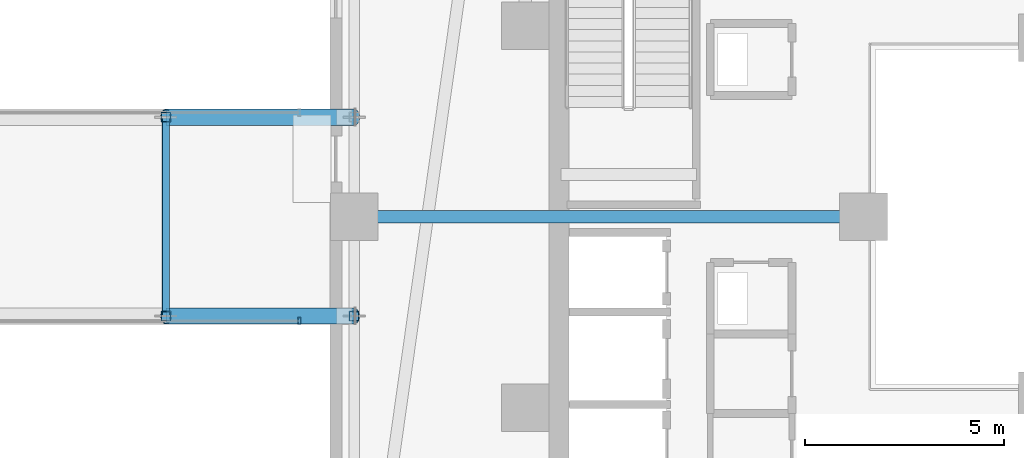
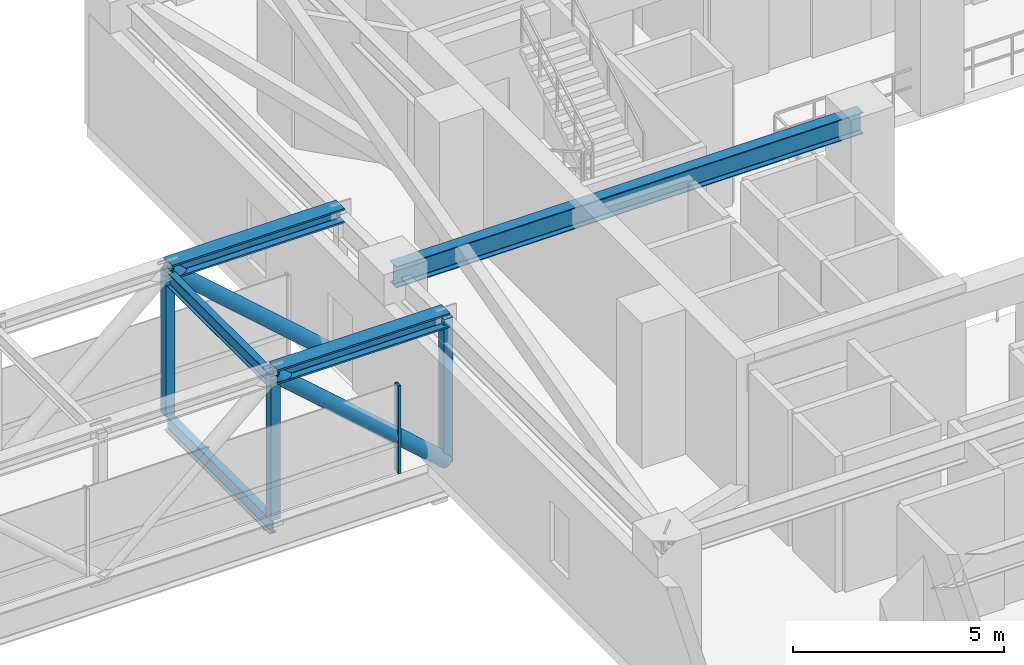
# One storey, part 19 of 45: 8 members, 3 beams, 1 element without a shape of its own.
"""IFC4 building model written with IfcOpenShell, lengths in metres."""

from ifc_helpers import new_model, si_unit, direction, frame, origin, origin_2d, place, context, subcontext, project, spatial, hollow_rectangle, hollow_circle, i_section, extrude, material, material_profile, profile_set, type_object, element, aggregate, save


model = new_model("IFC4")

# Units and contexts
model_context = context("Model", 3, precision=1e-05, world=origin(), true_north=direction((0.0, 1.0)))
body_context = subcontext(model_context, "Body", "Model", "MODEL_VIEW")
ifc_project = project(units=[si_unit("LENGTHUNIT", "METRE"), si_unit("AREAUNIT", "SQUARE_METRE"), si_unit("VOLUMEUNIT", "CUBIC_METRE"), si_unit("PLANEANGLEUNIT", "RADIAN"), si_unit("MASSUNIT", "GRAM", prefix="KILO")], contexts=[model_context])

# Site, building, storey
site_placement = place(None, origin())
site = spatial("IfcSite", under=ifc_project, at=site_placement, CompositionType="ELEMENT")
building_placement = place(site_placement, origin())
building = spatial("IfcBuilding", under=site, at=building_placement, Name="Thornwick Lancets Civic Towers", CompositionType="ELEMENT")
storey_placement = place(building_placement, frame((0.0, 0.0, 141.300048828125)))
storey = spatial("IfcBuildingStorey", under=building, at=storey_placement, Name="L37", CompositionType="ELEMENT", Elevation=141.300048828125)

# Beams
ifc_material_1 = material(Name="Steel S355JR", Category="steel")
ifc_material_profile_1 = material_profile(ifc_material_1, i_section(OverallWidth=0.30712890625, OverallDepth=0.6201171875, WebThickness=0.01416015625, FlangeThickness=0.023681640625, FilletRadius=0.0166015625, at=origin_2d()), Name="UKB 610x305x179")
ifc_profile_set_1 = profile_set([ifc_material_profile_1], Name="Steel S355JR")
beam_type_1 = type_object("IfcBeamType", Name="BM_GIRD_610_179", PredefinedType="BEAM", material=ifc_profile_set_1)
beam_1_placement = place(storey_placement, frame((84.0, 27.0, 3.64990234375), z_axis=(-1.0, 0.0, 0.0), x_axis=(0.0, -1.0, 0.0)))
element("IfcBeam", 1, at=beam_1_placement, inside=storey, type_object=beam_type_1, Name="BM-RADIN-L37-B08", PredefinedType="BEAM", context=body_context, shape_type="SweptSolid", body=[
    extrude(i_section(OverallWidth=0.30712890625, OverallDepth=0.6201171875, WebThickness=0.01416015625, FlangeThickness=0.023681640625, FilletRadius=0.0166015625, at=origin_2d()), origin(), (0.0, 0.0, 1.0), 12.800048828125),
])
ifc_material_profile_2 = material_profile(ifc_material_1, i_section(OverallWidth=0.179443359375, OverallDepth=0.412841796875, WebThickness=0.009521484375, FlangeThickness=0.01611328125, FilletRadius=0.01025390625, at=origin_2d()), Name="UKB 406x178x74")
ifc_profile_set_2 = profile_set([ifc_material_profile_2], Name="Steel S355JR")
beam_type_2 = type_object("IfcBeamType", Name="BM_JOIST_406_74", PredefinedType="JOIST", material=ifc_profile_set_2)
beam_2_placement = place(storey_placement, frame((66.466796875, 24.5, 3.753662109375), z_axis=(0.0, 1.0, 0.0), x_axis=(-1.0, 0.0, 0.0)))
element("IfcBeam", 2, at=beam_2_placement, inside=storey, type_object=beam_type_2, Name="BM-L37-SB-RBM-5", PredefinedType="JOIST", context=body_context, shape_type="SweptSolid", body=[
    extrude(i_section(OverallWidth=0.179443359375, OverallDepth=0.412841796875, WebThickness=0.009521484375, FlangeThickness=0.01611328125, FilletRadius=0.01025390625, at=origin_2d()), origin(), (0.0, 0.0, 1.0), 5.0),
])
ifc_material_profile_3 = material_profile(ifc_material_1, i_section(OverallWidth=0.19189453125, OverallDepth=0.46337890625, WebThickness=0.010498046875, FlangeThickness=0.017578125, FilletRadius=0.01025390625, at=origin_2d()), Name="UKB 457x191x89")
ifc_profile_set_3 = profile_set([ifc_material_profile_3], Name="Steel S355JR")
beam_type_3 = type_object("IfcBeamType", Name="BM_JOIST_457_89", PredefinedType="JOIST", material=ifc_profile_set_3)
beam_3_placement = place(storey_placement, frame((66.466796875, 24.5, -0.45166015625), z_axis=(0.0, 1.0, 0.0), x_axis=(-1.0, 0.0, 0.0)))
element("IfcBeam", 3, at=beam_3_placement, inside=storey, type_object=beam_type_3, Name="BM-L37-SB-XBM-5", PredefinedType="JOIST", context=body_context, shape_type="SweptSolid", body=[
    extrude(i_section(OverallWidth=0.19189453125, OverallDepth=0.46337890625, WebThickness=0.010498046875, FlangeThickness=0.017578125, FilletRadius=0.01025390625, at=origin_2d()), origin(), (0.0, 0.0, 1.0), 5.0),
])

# Curtain wall, member
ifc_material_2 = material(Name="Skybridge acoustic laminated-glass curtain wall", Category="glass")
curtain_wall_type = type_object("IfcCurtainWallType", Name="CW_SYS_06", PredefinedType="NOTDEFINED", material=ifc_material_2)
curtain_wall_placement = place(storey_placement, origin())
curtain_wall = element("IfcCurtainWall", 4, at=curtain_wall_placement, inside=storey, type_object=curtain_wall_type, Name="L37 Curtain Wall CW-L37-SKYBRIDGE-S", PredefinedType="NOTDEFINED")
ifc_material_3 = material(Name="Thermally broken bronze aluminium S355", Category="steel")
ifc_material_profile_4 = material_profile(ifc_material_3, hollow_rectangle(XDim=0.074951171875, YDim=0.179931640625, WallThickness=0.006103515625, at=origin_2d()), Name="RHS 180x75x6")
ifc_profile_set_4 = profile_set([ifc_material_profile_4], Name="Thermally broken bronze aluminium S355")
member_type_1 = type_object("IfcMemberType", Name="CW_MUL_180", PredefinedType="MULLION", material=ifc_profile_set_4)
member_placement = place(storey_placement, frame((69.820068359375, 24.3798828125, 0.0), z_axis=(0.0, 0.0, 1.0), x_axis=(1.0, 0.0, 0.0)))
member = element("IfcMember", 5, at=member_placement, type_object=member_type_1, Name="CW-L37-SKYBRIDGE-S Mullion 3", PredefinedType="MULLION", context=body_context, shape_type="SweptSolid", body=[
    extrude(hollow_rectangle(XDim=0.074951171875, YDim=0.179931640625, WallThickness=0.006103515625, at=origin_2d()), origin(), (0.0, 0.0, 1.0), 2.550048828125),
])
aggregate(curtain_wall, [member])

# Members
ifc_material_4 = material(Name="Steel S460M", Category="steel")
ifc_material_profile_5 = material_profile(ifc_material_4, i_section(OverallWidth=0.406982421875, OverallDepth=0.4189453125, WebThickness=0.030517578125, FlangeThickness=0.04931640625, FilletRadius=0.01513671875, at=origin_2d()), Name="UKC 356x406x393")
ifc_profile_set_5 = profile_set([ifc_material_profile_5], Name="Steel S460M")
member_type_2 = type_object("IfcMemberType", Name="MEM_BRG_CHORD_393", PredefinedType="CHORD", material=ifc_profile_set_5)
for number, where, z_axis, x_axis, name in (
    (6, (66.466796875, 24.5, 3.9599609375), (1.0, 0.0, 0.0), (0.0, 1.0, 0.0), "L37 Skybridge Top Chord 1-5"),
    (7, (66.466796875, 29.5, 3.9599609375), (1.0, 0.0, 0.0), (0.0, 1.0, 0.0), "L37 Skybridge Top Chord 2-5"),
):
    element("IfcMember", number, at=place(storey_placement, frame(where, z_axis=z_axis, x_axis=x_axis)), inside=storey, type_object=member_type_2, Name=name, PredefinedType="CHORD", context=body_context, shape_type="SweptSolid", body=[
        extrude(i_section(OverallWidth=0.406982421875, OverallDepth=0.4189453125, WebThickness=0.030517578125, FlangeThickness=0.04931640625, FilletRadius=0.01513671875, at=origin_2d()), origin(), (0.0, 0.0, 1.0), 4.733154296875),
    ])
ifc_material_profile_6 = material_profile(ifc_material_4, hollow_circle(Radius=0.203125, WallThickness=0.02001953125, at=origin_2d()), Name="CHS 406.4x20")
ifc_profile_set_6 = profile_set([ifc_material_profile_6], Name="Steel S460M")
member_type_3 = type_object("IfcMemberType", Name="MEM_BRG_WEB_CHS406", PredefinedType="BRACE", material=ifc_profile_set_6)
for number, where, z_axis, x_axis, name in (
    (8, (66.466796875, 24.5, 3.9599609375), (0.749553457436, 0.0, -0.661943815173), (0.0, 1.0, 0.0), "L37 Skybridge Truss Diagonal 1-5"),
    (9, (66.466796875, 29.5, 3.9599609375), (0.749553457436, 0.0, -0.661943815173), (0.0, 1.0, 0.0), "L37 Skybridge Truss Diagonal 2-5"),
):
    element("IfcMember", number, at=place(storey_placement, frame(where, z_axis=z_axis, x_axis=x_axis)), inside=storey, type_object=member_type_3, Name=name, PredefinedType="BRACE", context=body_context, shape_type="SweptSolid", body=[
        extrude(hollow_circle(Radius=0.203125, WallThickness=0.02001953125, at=origin_2d()), origin(), (0.0, 0.0, 1.0), 6.314697265625),
    ])
ifc_material_profile_7 = material_profile(ifc_material_4, hollow_rectangle(XDim=0.25, YDim=0.25, WallThickness=0.01611328125, at=origin_2d()), Name="SHS 250x250x16")
ifc_profile_set_7 = profile_set([ifc_material_profile_7], Name="Steel S460M")
member_type_4 = type_object("IfcMemberType", Name="MEM_BRG_WEB_SHS250", PredefinedType="BRACE", material=ifc_profile_set_7)
for number, where, z_axis, x_axis, name in (
    (10, (66.466796875, 24.5, -0.219970703125), (0.0, 0.0, 1.0), (1.0, 0.0, 0.0), "L37 Skybridge Truss Post 1-5"),
    (11, (71.199951171875, 24.5, -0.219970703125), (0.0, 0.0, 1.0), (1.0, 0.0, 0.0), "L37 Skybridge Truss Post 1-6"),
    (12, (66.466796875, 29.5, -0.219970703125), (0.0, 0.0, 1.0), (1.0, 0.0, 0.0), "L37 Skybridge Truss Post 2-5"),
):
    element("IfcMember", number, at=place(storey_placement, frame(where, z_axis=z_axis, x_axis=x_axis)), inside=storey, type_object=member_type_4, Name=name, PredefinedType="BRACE", context=body_context, shape_type="SweptSolid", body=[
        extrude(hollow_rectangle(XDim=0.25, YDim=0.25, WallThickness=0.01611328125, at=origin_2d()), origin(), (0.0, 0.0, 1.0), 4.179931640625),
    ])

save(model, "model.ifc")
